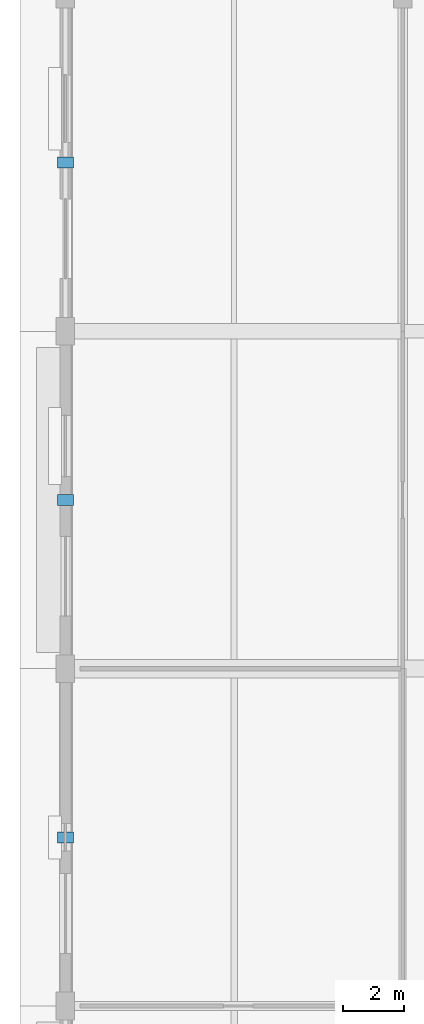
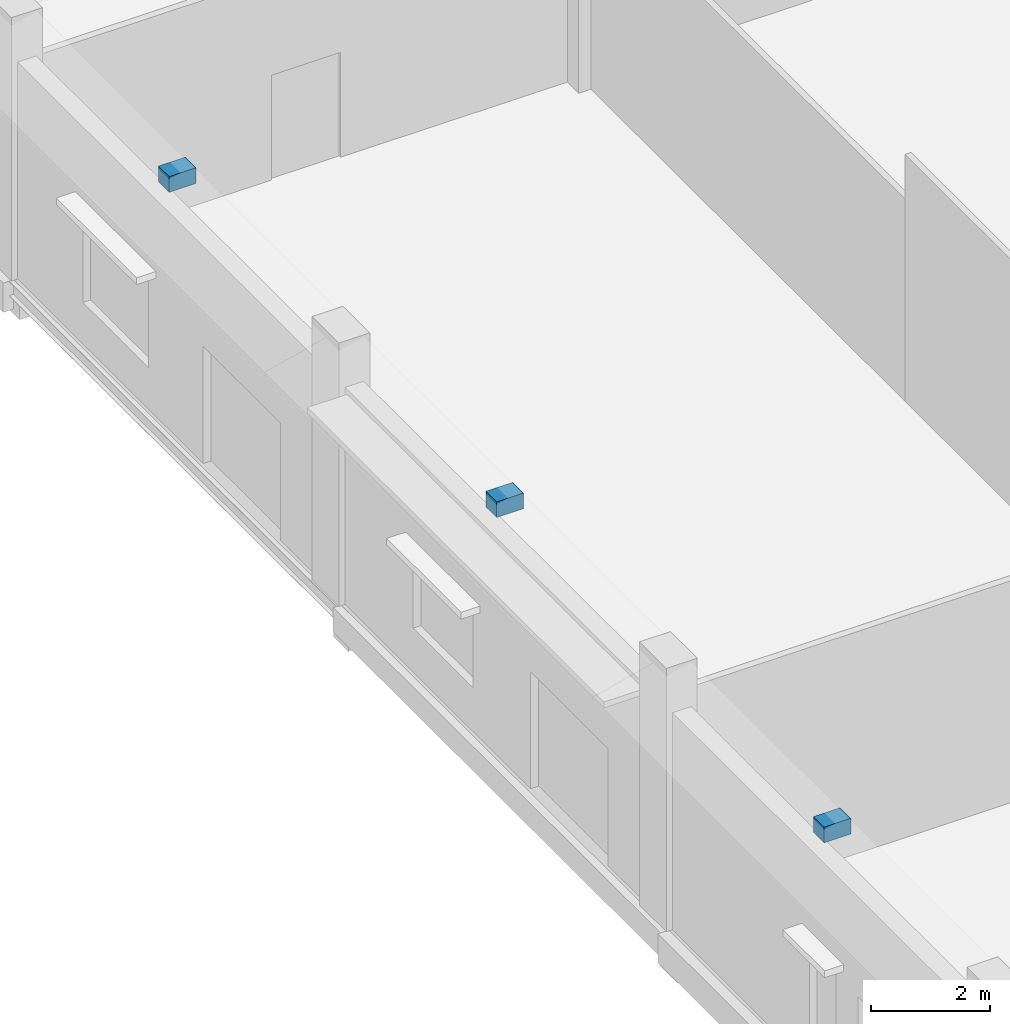
# One storey, part 78 of 120: 3 discrete accessories.
"""IFC4 building model written with IfcOpenShell, lengths in metres."""

from ifc_helpers import new_model, si_unit, direction, frame, origin, origin_2d, place, context, subcontext, project, spatial, rectangle, extrude, material, layer, layer_set, type_object, element, save


model = new_model("IFC4")

# Units and contexts
model_context = context("Model", 3, precision=1e-05, world=origin(), true_north=direction((0.0, 1.0)))
body_context = subcontext(model_context, "Body", "Model", "MODEL_VIEW")
ifc_project = project(units=[si_unit("LENGTHUNIT", "METRE"), si_unit("AREAUNIT", "SQUARE_METRE"), si_unit("VOLUMEUNIT", "CUBIC_METRE"), si_unit("PLANEANGLEUNIT", "RADIAN"), si_unit("MASSUNIT", "GRAM", prefix="KILO")], contexts=[model_context])

# Site, building, storey
site_placement = place(None, origin())
site = spatial("IfcSite", under=ifc_project, at=site_placement, CompositionType="ELEMENT")
building_placement = place(site_placement, origin())
building = spatial("IfcBuilding", under=site, at=building_placement, Name="Luwafu Chhajja Arena", CompositionType="ELEMENT")
storey_placement = place(building_placement, origin())
storey = spatial("IfcBuildingStorey", under=building, at=storey_placement, Name="L00", CompositionType="ELEMENT", Elevation=0.0)

# Discrete accessories
ifc_material = material(Name="Stainless steel bracket", Category="steel")
ifc_layer = layer(ifc_material, 0.179931640625, Name="Stainless steel bracket")
ifc_layer_set = layer_set([ifc_layer], Name="Stainless steel bracket")
discrete_accessory_type = type_object("IfcDiscreteAccessoryType", Name="Stainless Steel Facade Support Bracket", PredefinedType="BRACKET", material=ifc_layer_set)
for number, where, z_axis, x_axis, name in (
    (1, (0.0, 60.5, 4.97998046875), (0.0, 0.0, 1.0), (0.0, 1.0, 0.0), "L00 Chhajja Eave Support Bracket 0071"),
    (2, (0.0, 71.5, 4.97998046875), (0.0, 0.0, 1.0), (0.0, 1.0, 0.0), "L00 Chhajja Eave Support Bracket 0072"),
    (3, (0.0, 82.5, 4.97998046875), (0.0, 0.0, 1.0), (0.0, 1.0, 0.0), "L00 Chhajja Eave Support Bracket 0073"),
):
    element("IfcDiscreteAccessory", number, at=place(storey_placement, frame(where, z_axis=z_axis, x_axis=x_axis)), inside=storey, type_object=discrete_accessory_type, Name=name, PredefinedType="BRACKET", context=body_context, shape_type="SweptSolid", body=[
        extrude(rectangle(XDim=0.360107421875, YDim=0.52001953125, at=origin_2d()), origin(), (0.0, 0.0, 1.0), 0.320068359375),
    ])

save(model, "model.ifc")
